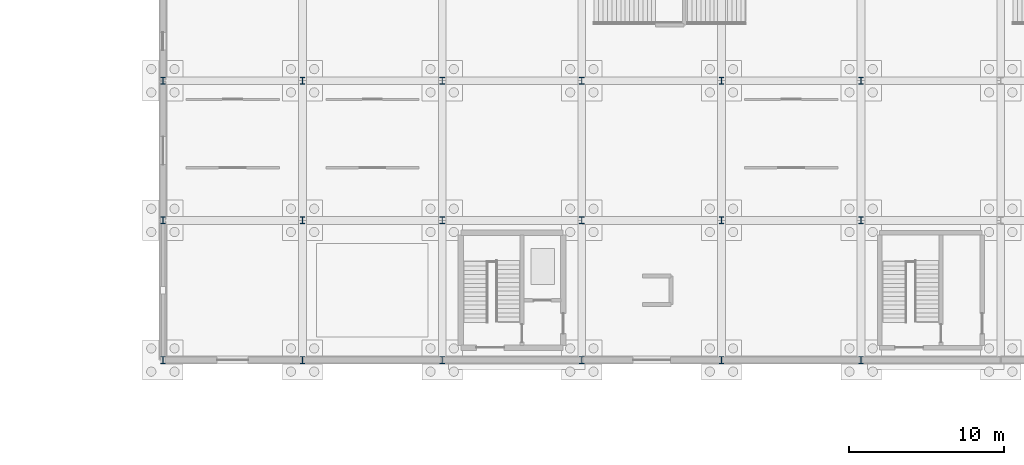
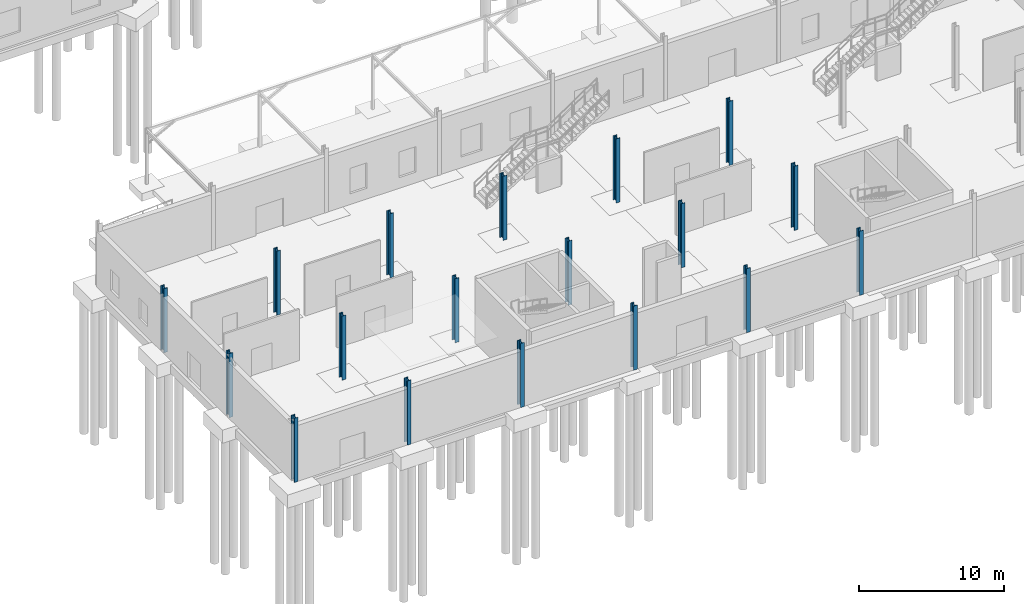
# One storey, part 14 of 118: 18 columns.
"""IFC4 building model written with IfcOpenShell, lengths in metres."""

from ifc_helpers import new_model, si_unit, direction, frame, origin, origin_2d, place, context, subcontext, project, spatial, i_section, extrude, material, material_profile, profile_set, type_object, element, save


model = new_model("IFC4")

# Units and contexts
model_context = context("Model", 3, precision=1e-05, world=origin(), true_north=direction((0.0, 1.0)))
body_context = subcontext(model_context, "Body", "Model", "MODEL_VIEW")
ifc_project = project(units=[si_unit("LENGTHUNIT", "METRE"), si_unit("AREAUNIT", "SQUARE_METRE"), si_unit("VOLUMEUNIT", "CUBIC_METRE"), si_unit("PLANEANGLEUNIT", "RADIAN"), si_unit("MASSUNIT", "GRAM", prefix="KILO")], contexts=[model_context])

# Site, building, storey
site_placement = place(None, origin())
site = spatial("IfcSite", under=ifc_project, at=site_placement, CompositionType="ELEMENT")
building_placement = place(site_placement, origin())
building = spatial("IfcBuilding", under=site, at=building_placement, Name="Kildeholm Park Wholesale Market", CompositionType="ELEMENT")
storey_placement = place(building_placement, origin())
storey = spatial("IfcBuildingStorey", under=building, at=storey_placement, Name="L00", CompositionType="ELEMENT", Elevation=0.0)

# Columns
ifc_material = material(Name="Steel S355", Category="steel")
ifc_material_profile = material_profile(ifc_material, i_section(OverallWidth=0.300048828125, OverallDepth=0.449951171875, WebThickness=0.013916015625, FlangeThickness=0.02587890625, FilletRadius=0.027099609375, at=origin_2d()), Name="HEB 450")
ifc_profile_set = profile_set([ifc_material_profile], Name="Steel S355")
column_type = type_object("IfcColumnType", Name="Column C-S06 HEB 450", PredefinedType="COLUMN", material=ifc_profile_set)
for number, where, z_axis, x_axis, name in (
    (1, (9.0, 0.0, 0.0), (0.0, 0.0, 1.0), (1.0, 0.0, 0.0), "Column V5W-009-000 L00 COL-0640"),
    (2, (9.0, 9.0, 0.0), (0.0, 0.0, 1.0), (1.0, 0.0, 0.0), "Column V5W-009-009 L00 COL-0643"),
    (3, (9.0, 18.0, 0.0), (0.0, 0.0, 1.0), (1.0, 0.0, 0.0), "Column V5W-009-018 L00 COL-0646"),
    (4, (18.0, 0.0, 0.0), (0.0, 0.0, 1.0), (1.0, 0.0, 0.0), "Column V5W-018-000 L00 COL-0651"),
    (5, (18.0, 9.0, 0.0), (0.0, 0.0, 1.0), (1.0, 0.0, 0.0), "Column V5W-018-009 L00 COL-0655"),
    (6, (18.0, 18.0, 0.0), (0.0, 0.0, 1.0), (1.0, 0.0, 0.0), "Column V5W-018-018 L00 COL-0659"),
    (7, (27.0, 0.0, 0.0), (0.0, 0.0, 1.0), (1.0, 0.0, 0.0), "Column V5W-027-000 L00 COL-0665"),
    (8, (27.0, 9.0, 0.0), (0.0, 0.0, 1.0), (1.0, 0.0, 0.0), "Column V5W-027-009 L00 COL-0669"),
    (9, (27.0, 18.0, 0.0), (0.0, 0.0, 1.0), (1.0, 0.0, 0.0), "Column V5W-027-018 L00 COL-0673"),
    (10, (36.0, 0.0, 0.0), (0.0, 0.0, 1.0), (1.0, 0.0, 0.0), "Column V5W-036-000 L00 COL-0679"),
    (11, (36.0, 9.0, 0.0), (0.0, 0.0, 1.0), (1.0, 0.0, 0.0), "Column V5W-036-009 L00 COL-0683"),
    (12, (36.0, 18.0, 0.0), (0.0, 0.0, 1.0), (1.0, 0.0, 0.0), "Column V5W-036-018 L00 COL-0687"),
    (13, (45.0, 0.0, 0.0), (0.0, 0.0, 1.0), (1.0, 0.0, 0.0), "Column V5W-045-000 L00 COL-0693"),
    (14, (45.0, 9.0, 0.0), (0.0, 0.0, 1.0), (1.0, 0.0, 0.0), "Column V5W-045-009 L00 COL-0697"),
    (15, (45.0, 18.0, 0.0), (0.0, 0.0, 1.0), (1.0, 0.0, 0.0), "Column V5W-045-018 L00 COL-0701"),
    (16, (54.0, 0.0, 0.0), (0.0, 0.0, 1.0), (1.0, 0.0, 0.0), "Column V5W-054-000 L00 COL-0707"),
    (17, (54.0, 9.0, 0.0), (0.0, 0.0, 1.0), (1.0, 0.0, 0.0), "Column V5W-054-009 L00 COL-0711"),
    (18, (54.0, 18.0, 0.0), (0.0, 0.0, 1.0), (1.0, 0.0, 0.0), "Column V5W-054-018 L00 COL-0715"),
):
    element("IfcColumn", number, at=place(storey_placement, frame(where, z_axis=z_axis, x_axis=x_axis)), inside=storey, type_object=column_type, Name=name, PredefinedType="COLUMN", context=body_context, shape_type="SweptSolid", body=[
        extrude(i_section(OverallWidth=0.300048828125, OverallDepth=0.449951171875, WebThickness=0.013916015625, FlangeThickness=0.02587890625, FilletRadius=0.027099609375, at=origin_2d()), origin(), (0.0, 0.0, 1.0), 5.39990234375),
    ])

save(model, "model.ifc")
